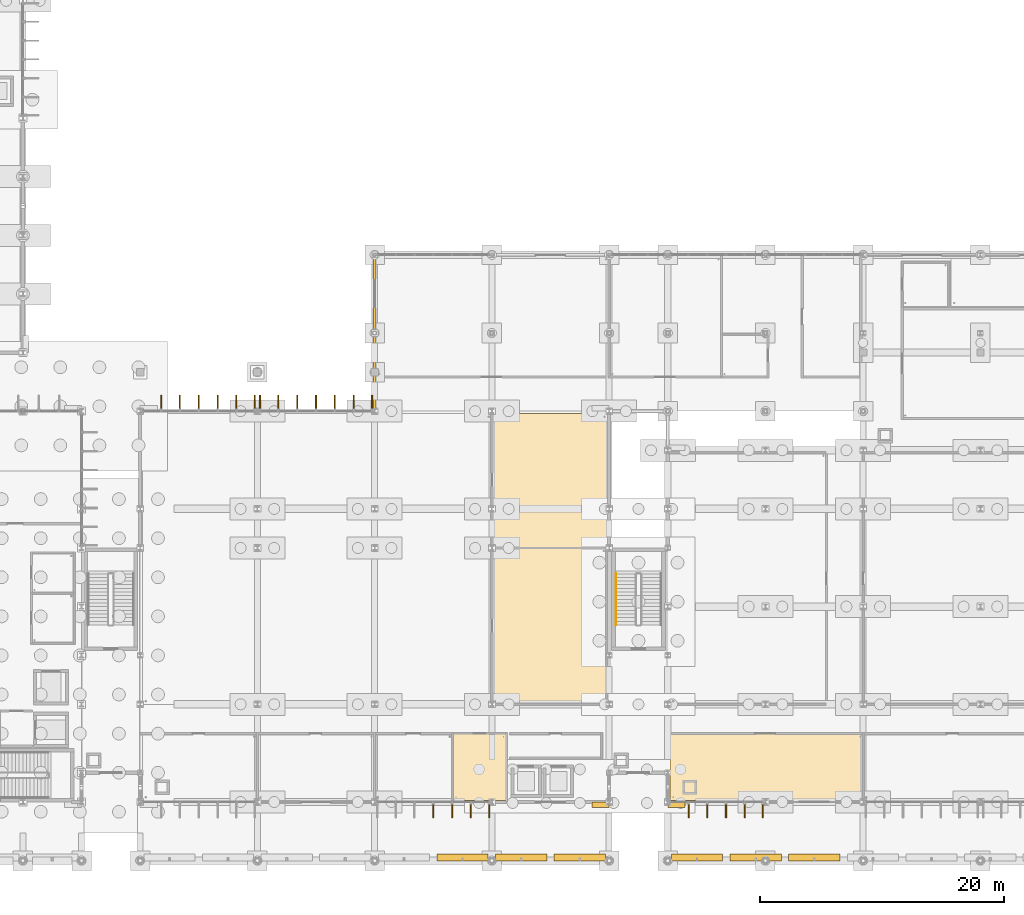
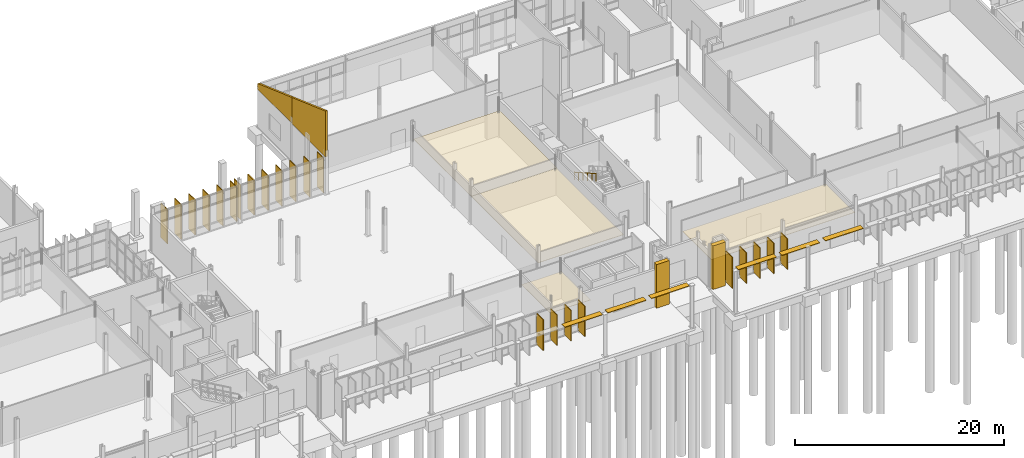
# One storey, part 105 of 111: 30 coverings, 6 shading devices, 1 railing.
"""IFC4 building model written with IfcOpenShell, lengths in metres."""

from ifc_helpers import new_model, si_unit, direction, frame, origin, origin_2d, place, context, subcontext, project, spatial, polyline, rectangle, circle, outline, extrude, material, layer, layer_set, type_object, element, save


model = new_model("IFC4")

# Units and contexts
model_context = context("Model", 3, precision=1e-05, world=origin(), true_north=direction((0.0, 1.0)))
body_context = subcontext(model_context, "Body", "Model", "MODEL_VIEW")
ifc_project = project(units=[si_unit("LENGTHUNIT", "METRE"), si_unit("AREAUNIT", "SQUARE_METRE"), si_unit("VOLUMEUNIT", "CUBIC_METRE"), si_unit("PLANEANGLEUNIT", "RADIAN"), si_unit("MASSUNIT", "GRAM", prefix="KILO")], contexts=[model_context])

# Site, building, storey
site_placement = place(None, origin())
site = spatial("IfcSite", under=ifc_project, at=site_placement, CompositionType="ELEMENT")
building_placement = place(site_placement, origin())
building = spatial("IfcBuilding", under=site, at=building_placement, Name="Dunescarp Central Library", CompositionType="ELEMENT")
storey_placement = place(building_placement, origin())
storey = spatial("IfcBuildingStorey", under=building, at=storey_placement, Name="L00", CompositionType="ELEMENT", Elevation=0.0)

# Coverings
ifc_material_1 = material(Name="Mineral-fibre acoustic ceiling tile")
ifc_layer_1 = layer(ifc_material_1, 0.0400390625)
ifc_layer_set_1 = layer_set([ifc_layer_1], Name="Mineral-fibre acoustic ceiling tile")
covering_type_1 = type_object("IfcCoveringType", Name="ARC-COV-CEIL40", PredefinedType="CEILING", material=ifc_layer_set_1)
covering_1_placement = place(storey_placement, frame((0.0, 0.0, 3.050048828125)))
element("IfcCovering", 1, at=covering_1_placement, inside=storey, type_object=covering_type_1, Name="L00 ceiling Wing Washrooms & WC", PredefinedType="CEILING", context=body_context, shape_type="SweptSolid", body=[
    extrude(outline(polyline([(63.97998046875, 4.919921875), (68.419921875, 4.919921875), (68.419921875, 10.419921875), (63.97998046875, 10.419921875), (63.97998046875, 4.919921875)])), origin(), (0.0, 0.0, 1.0), 0.0400390625),
])
covering_2_placement = place(storey_placement, frame((0.0, 0.0, 3.050048828125)))
element("IfcCovering", 2, at=covering_2_placement, inside=storey, type_object=covering_type_1, Name="L00 ceiling L00 Digital Media Lending Desk", PredefinedType="CEILING", context=body_context, shape_type="SweptSolid", body=[
    extrude(outline(polyline([(67.179931640625, 12.780029296875), (76.6201171875, 12.780029296875), (76.6201171875, 25.6201171875), (67.179931640625, 25.6201171875), (67.179931640625, 12.780029296875)])), origin(), (0.0, 0.0, 1.0), 0.0400390625),
])
covering_3_placement = place(storey_placement, frame((0.0, 0.0, 3.050048828125)))
element("IfcCovering", 3, at=covering_3_placement, inside=storey, type_object=covering_type_1, Name="L00 ceiling L00 Book Sorting & Returns Store", PredefinedType="CEILING", context=body_context, shape_type="SweptSolid", body=[
    extrude(outline(polyline([(67.179931640625, 25.580078125), (76.679931640625, 25.580078125), (76.679931640625, 36.6201171875), (67.179931640625, 36.6201171875), (67.179931640625, 25.580078125)])), origin(), (0.0, 0.0, 1.0), 0.0400390625),
])
covering_4_placement = place(storey_placement, frame((0.0, 0.0, 3.050048828125)))
element("IfcCovering", 4, at=covering_4_placement, inside=storey, type_object=covering_type_1, Name="L00 ceiling Civic Lecture & Symposium Room", PredefinedType="CEILING", context=body_context, shape_type="SweptSolid", body=[
    extrude(outline(polyline([(81.780029296875, 4.919921875), (97.6201171875, 4.919921875), (97.6201171875, 10.419921875), (81.780029296875, 10.419921875), (81.780029296875, 4.919921875)])), origin(), (0.0, 0.0, 1.0), 0.0400390625),
])
ifc_material_2 = material(Name="Glass-fibre reinforced concrete GRC", Category="concrete")
ifc_layer_2 = layer(ifc_material_2, 0.219970703125)
ifc_layer_set_2 = layer_set([ifc_layer_2], Name="Glass-fibre reinforced concrete GRC")
covering_type_2 = type_object("IfcCoveringType", Name="ARC-COV-CLER", PredefinedType="CLADDING", material=ifc_layer_set_2)
covering_5_placement = place(storey_placement, frame((57.60009765625, 36.715087890625, 4.31201171875), z_axis=(0.0, 0.0, 1.0), x_axis=(0.0, 1.0, 0.0)))
element("IfcCovering", 5, at=covering_5_placement, inside=storey, type_object=covering_type_2, Name="L00 CLN raked clerestory closure CLR-CLN-L00-103", PredefinedType="CLADDING", context=body_context, shape_type="SweptSolid", body=[
    extrude(outline(polyline([(0.0, 0.0), (6.56982421875, 0.0), (6.570068359375, 3.01708984375), (0.0, 5.367919921875), (0.0, 0.0)])), frame((0.0, 0.10986328125, 0.0), z_axis=(0.0, -1.0, 0.0), x_axis=(1.0, 0.0, 0.0)), (0.0, 0.0, 1.0), 0.219970703125),
])
covering_6_placement = place(storey_placement, frame((57.60009765625, 43.114990234375, 4.368896484375), z_axis=(0.0, 0.0, 1.0), x_axis=(0.0, 1.0, 0.0)))
element("IfcCovering", 6, at=covering_6_placement, inside=storey, type_object=covering_type_2, Name="L00 CLN raked clerestory closure CLR-CLN-L00-104", PredefinedType="CLADDING", context=body_context, shape_type="SweptSolid", body=[
    extrude(outline(polyline([(0.0, 0.0), (6.570068359375, 0.0), (6.570068359375, 0.670166015625), (0.0, 3.02099609375), (0.0, 0.0)])), frame((0.0, 0.10986328125, 0.0), z_axis=(0.0, -1.0, 0.0), x_axis=(1.0, 0.0, 0.0)), (0.0, 0.0, 1.0), 0.219970703125),
])
ifc_layer_3 = layer(ifc_material_2, 0.090087890625)
ifc_layer_set_3 = layer_set([ifc_layer_3], Name="Glass-fibre reinforced concrete GRC")
covering_type_3 = type_object("IfcCoveringType", Name="ARC-COV-FIN1250", PredefinedType="CLADDING", material=ifc_layer_set_3)
covering_7_placement = place(storey_placement, frame((66.985107421875, 4.137939453125, 0.1669921875), z_axis=(0.0, 0.0, 1.0), x_axis=(0.0, -1.0, 0.0)))
element("IfcCovering", 7, at=covering_7_placement, inside=storey, type_object=covering_type_3, Name="L00 parametric vertical facade fin FIN-L00-0318", PredefinedType="CLADDING", context=body_context, shape_type="SweptSolid", body=[
    extrude(rectangle(XDim=1.25, YDim=0.090087890625, at=origin_2d()), origin(), (0.0, 0.0, 1.0), 3.55810546875),
])
covering_8_placement = place(storey_placement, frame((65.48291015625, 4.137939453125, 0.180419921875), z_axis=(0.0, 0.0, 1.0), x_axis=(0.0, -1.0, 0.0)))
element("IfcCovering", 8, at=covering_8_placement, inside=storey, type_object=covering_type_3, Name="L00 parametric vertical facade fin FIN-L00-0319", PredefinedType="CLADDING", context=body_context, shape_type="SweptSolid", body=[
    extrude(rectangle(XDim=1.25, YDim=0.090087890625, at=origin_2d()), origin(), (0.0, 0.0, 1.0), 3.544921875),
])
covering_9_placement = place(storey_placement, frame((63.94189453125, 4.137939453125, 0.16455078125), z_axis=(0.0, 0.0, 1.0), x_axis=(0.0, -1.0, 0.0)))
element("IfcCovering", 9, at=covering_9_placement, inside=storey, type_object=covering_type_3, Name="L00 parametric vertical facade fin FIN-L00-0320", PredefinedType="CLADDING", context=body_context, shape_type="SweptSolid", body=[
    extrude(rectangle(XDim=1.25, YDim=0.090087890625, at=origin_2d()), origin(), (0.0, 0.0, 1.0), 3.56103515625),
])
covering_10_placement = place(storey_placement, frame((62.39990234375, 4.137939453125, 0.123046875), z_axis=(0.0, 0.0, 1.0), x_axis=(0.0, -1.0, 0.0)))
element("IfcCovering", 10, at=covering_10_placement, inside=storey, type_object=covering_type_3, Name="L00 parametric vertical facade fin FIN-L00-0321", PredefinedType="CLADDING", context=body_context, shape_type="SweptSolid", body=[
    extrude(rectangle(XDim=1.25, YDim=0.090087890625, at=origin_2d()), origin(), (0.0, 0.0, 1.0), 3.60205078125),
])
covering_11_placement = place(storey_placement, frame((40.116943359375, 37.4619140625, 0.1806640625), z_axis=(0.0, 0.0, 1.0), x_axis=(0.0, 1.0, 0.0)))
element("IfcCovering", 11, at=covering_11_placement, inside=storey, type_object=covering_type_3, Name="L00 parametric vertical facade fin FIN-L00-0325", PredefinedType="CLADDING", context=body_context, shape_type="SweptSolid", body=[
    extrude(rectangle(XDim=1.25, YDim=0.090087890625, at=origin_2d()), origin(), (0.0, 0.0, 1.0), 4.054931640625),
])
covering_12_placement = place(storey_placement, frame((41.657958984375, 37.4619140625, 0.16455078125), z_axis=(0.0, 0.0, 1.0), x_axis=(0.0, 1.0, 0.0)))
element("IfcCovering", 12, at=covering_12_placement, inside=storey, type_object=covering_type_3, Name="L00 parametric vertical facade fin FIN-L00-0326", PredefinedType="CLADDING", context=body_context, shape_type="SweptSolid", body=[
    extrude(rectangle(XDim=1.25, YDim=0.090087890625, at=origin_2d()), origin(), (0.0, 0.0, 1.0), 4.071044921875),
])
covering_13_placement = place(storey_placement, frame((43.199951171875, 37.4619140625, 0.123046875), z_axis=(0.0, 0.0, 1.0), x_axis=(0.0, 1.0, 0.0)))
element("IfcCovering", 13, at=covering_13_placement, inside=storey, type_object=covering_type_3, Name="L00 parametric vertical facade fin FIN-L00-0327", PredefinedType="CLADDING", context=body_context, shape_type="SweptSolid", body=[
    extrude(rectangle(XDim=1.25, YDim=0.090087890625, at=origin_2d()), origin(), (0.0, 0.0, 1.0), 4.112060546875),
])
covering_14_placement = place(storey_placement, frame((44.741943359375, 37.4619140625, 0.080078125), z_axis=(0.0, 0.0, 1.0), x_axis=(0.0, 1.0, 0.0)))
element("IfcCovering", 14, at=covering_14_placement, inside=storey, type_object=covering_type_3, Name="L00 parametric vertical facade fin FIN-L00-0328", PredefinedType="CLADDING", context=body_context, shape_type="SweptSolid", body=[
    extrude(rectangle(XDim=1.25, YDim=0.090087890625, at=origin_2d()), origin(), (0.0, 0.0, 1.0), 4.14404296875),
])
covering_15_placement = place(storey_placement, frame((46.282958984375, 37.4619140625, 0.080078125), z_axis=(0.0, 0.0, 1.0), x_axis=(0.0, 1.0, 0.0)))
element("IfcCovering", 15, at=covering_15_placement, inside=storey, type_object=covering_type_3, Name="L00 parametric vertical facade fin FIN-L00-0329", PredefinedType="CLADDING", context=body_context, shape_type="SweptSolid", body=[
    extrude(rectangle(XDim=1.25, YDim=0.090087890625, at=origin_2d()), origin(), (0.0, 0.0, 1.0), 4.093994140625),
])
covering_16_placement = place(storey_placement, frame((47.784912109375, 37.4619140625, 0.08056640625), z_axis=(0.0, 0.0, 1.0), x_axis=(0.0, 1.0, 0.0)))
element("IfcCovering", 16, at=covering_16_placement, inside=storey, type_object=covering_type_3, Name="L00 parametric vertical facade fin FIN-L00-0330", PredefinedType="CLADDING", context=body_context, shape_type="SweptSolid", body=[
    extrude(rectangle(XDim=1.25, YDim=0.090087890625, at=origin_2d()), origin(), (0.0, 0.0, 1.0), 4.06103515625),
])
covering_17_placement = place(storey_placement, frame((48.215087890625, 37.4619140625, 0.1669921875), z_axis=(0.0, 0.0, 1.0), x_axis=(0.0, 1.0, 0.0)))
element("IfcCovering", 17, at=covering_17_placement, inside=storey, type_object=covering_type_3, Name="L00 parametric vertical facade fin FIN-L00-0331", PredefinedType="CLADDING", context=body_context, shape_type="SweptSolid", body=[
    extrude(rectangle(XDim=1.25, YDim=0.090087890625, at=origin_2d()), origin(), (0.0, 0.0, 1.0), 4.068115234375),
])
covering_18_placement = place(storey_placement, frame((49.717041015625, 37.4619140625, 0.1806640625), z_axis=(0.0, 0.0, 1.0), x_axis=(0.0, 1.0, 0.0)))
element("IfcCovering", 18, at=covering_18_placement, inside=storey, type_object=covering_type_3, Name="L00 parametric vertical facade fin FIN-L00-0332", PredefinedType="CLADDING", context=body_context, shape_type="SweptSolid", body=[
    extrude(rectangle(XDim=1.25, YDim=0.090087890625, at=origin_2d()), origin(), (0.0, 0.0, 1.0), 4.054931640625),
])
covering_19_placement = place(storey_placement, frame((51.258056640625, 37.4619140625, 0.16455078125), z_axis=(0.0, 0.0, 1.0), x_axis=(0.0, 1.0, 0.0)))
element("IfcCovering", 19, at=covering_19_placement, inside=storey, type_object=covering_type_3, Name="L00 parametric vertical facade fin FIN-L00-0333", PredefinedType="CLADDING", context=body_context, shape_type="SweptSolid", body=[
    extrude(rectangle(XDim=1.25, YDim=0.090087890625, at=origin_2d()), origin(), (0.0, 0.0, 1.0), 4.071044921875),
])
covering_20_placement = place(storey_placement, frame((52.800048828125, 37.4619140625, 0.123046875), z_axis=(0.0, 0.0, 1.0), x_axis=(0.0, 1.0, 0.0)))
element("IfcCovering", 20, at=covering_20_placement, inside=storey, type_object=covering_type_3, Name="L00 parametric vertical facade fin FIN-L00-0334", PredefinedType="CLADDING", context=body_context, shape_type="SweptSolid", body=[
    extrude(rectangle(XDim=1.25, YDim=0.090087890625, at=origin_2d()), origin(), (0.0, 0.0, 1.0), 4.112060546875),
])
covering_21_placement = place(storey_placement, frame((54.342041015625, 37.4619140625, 0.080078125), z_axis=(0.0, 0.0, 1.0), x_axis=(0.0, 1.0, 0.0)))
element("IfcCovering", 21, at=covering_21_placement, inside=storey, type_object=covering_type_3, Name="L00 parametric vertical facade fin FIN-L00-0335", PredefinedType="CLADDING", context=body_context, shape_type="SweptSolid", body=[
    extrude(rectangle(XDim=1.25, YDim=0.090087890625, at=origin_2d()), origin(), (0.0, 0.0, 1.0), 4.14404296875),
])
covering_22_placement = place(storey_placement, frame((55.883056640625, 37.4619140625, 0.080078125), z_axis=(0.0, 0.0, 1.0), x_axis=(0.0, 1.0, 0.0)))
element("IfcCovering", 22, at=covering_22_placement, inside=storey, type_object=covering_type_3, Name="L00 parametric vertical facade fin FIN-L00-0336", PredefinedType="CLADDING", context=body_context, shape_type="SweptSolid", body=[
    extrude(rectangle(XDim=1.25, YDim=0.090087890625, at=origin_2d()), origin(), (0.0, 0.0, 1.0), 4.093994140625),
])
covering_23_placement = place(storey_placement, frame((57.385009765625, 37.4619140625, 0.08056640625), z_axis=(0.0, 0.0, 1.0), x_axis=(0.0, 1.0, 0.0)))
element("IfcCovering", 23, at=covering_23_placement, inside=storey, type_object=covering_type_3, Name="L00 parametric vertical facade fin FIN-L00-0337", PredefinedType="CLADDING", context=body_context, shape_type="SweptSolid", body=[
    extrude(rectangle(XDim=1.25, YDim=0.090087890625, at=origin_2d()), origin(), (0.0, 0.0, 1.0), 4.06103515625),
])
covering_24_placement = place(storey_placement, frame((89.385009765625, 4.137939453125, 0.1669921875), z_axis=(0.0, 0.0, 1.0), x_axis=(0.0, -1.0, 0.0)))
element("IfcCovering", 24, at=covering_24_placement, inside=storey, type_object=covering_type_3, Name="L00 parametric vertical facade fin FIN-L00-0561", PredefinedType="CLADDING", context=body_context, shape_type="SweptSolid", body=[
    extrude(rectangle(XDim=1.25, YDim=0.090087890625, at=origin_2d()), origin(), (0.0, 0.0, 1.0), 3.55810546875),
])
covering_25_placement = place(storey_placement, frame((87.89501953125, 4.137939453125, 0.180419921875), z_axis=(0.0, 0.0, 1.0), x_axis=(0.0, -1.0, 0.0)))
element("IfcCovering", 25, at=covering_25_placement, inside=storey, type_object=covering_type_3, Name="L00 parametric vertical facade fin FIN-L00-0562", PredefinedType="CLADDING", context=body_context, shape_type="SweptSolid", body=[
    extrude(rectangle(XDim=1.25, YDim=0.090087890625, at=origin_2d()), origin(), (0.0, 0.0, 1.0), 3.544921875),
])
covering_26_placement = place(storey_placement, frame((86.364990234375, 4.137939453125, 0.16455078125), z_axis=(0.0, 0.0, 1.0), x_axis=(0.0, -1.0, 0.0)))
element("IfcCovering", 26, at=covering_26_placement, inside=storey, type_object=covering_type_3, Name="L00 parametric vertical facade fin FIN-L00-0563", PredefinedType="CLADDING", context=body_context, shape_type="SweptSolid", body=[
    extrude(rectangle(XDim=1.25, YDim=0.090087890625, at=origin_2d()), origin(), (0.0, 0.0, 1.0), 3.56103515625),
])
covering_27_placement = place(storey_placement, frame((84.8349609375, 4.137939453125, 0.123046875), z_axis=(0.0, 0.0, 1.0), x_axis=(0.0, -1.0, 0.0)))
element("IfcCovering", 27, at=covering_27_placement, inside=storey, type_object=covering_type_3, Name="L00 parametric vertical facade fin FIN-L00-0564", PredefinedType="CLADDING", context=body_context, shape_type="SweptSolid", body=[
    extrude(rectangle(XDim=1.25, YDim=0.090087890625, at=origin_2d()), origin(), (0.0, 0.0, 1.0), 3.60205078125),
])
covering_28_placement = place(storey_placement, frame((83.304931640625, 4.137939453125, 0.080078125), z_axis=(0.0, 0.0, 1.0), x_axis=(0.0, -1.0, 0.0)))
element("IfcCovering", 28, at=covering_28_placement, inside=storey, type_object=covering_type_3, Name="L00 parametric vertical facade fin FIN-L00-0565", PredefinedType="CLADDING", context=body_context, shape_type="SweptSolid", body=[
    extrude(rectangle(XDim=1.25, YDim=0.090087890625, at=origin_2d()), origin(), (0.0, 0.0, 1.0), 3.634033203125),
])
ifc_layer_4 = layer(ifc_material_2, 0.449951171875)
ifc_layer_set_4 = layer_set([ifc_layer_4], Name="Glass-fibre reinforced concrete GRC")
covering_type_4 = type_object("IfcCoveringType", Name="ARC-COV-PORTAL", PredefinedType="CLADDING", material=ifc_layer_set_4)
for number, where, z_axis, x_axis, name in (
    (29, (76.10009765625, 4.580078125, 0.0), (0.0, 0.0, 1.0), (1.0, 0.0, 0.0), "V2 sculpted GRC portal pier PRT-BAND-V2-003"),
    (30, (82.300048828125, 4.580078125, 0.0), (0.0, 0.0, 1.0), (1.0, 0.0, 0.0), "V3 sculpted GRC portal pier PRT-BAND-V3-027"),
):
    element("IfcCovering", number, at=place(storey_placement, frame(where, z_axis=z_axis, x_axis=x_axis)), inside=storey, type_object=covering_type_4, Name=name, PredefinedType="CLADDING", context=body_context, shape_type="SweptSolid", body=[
        extrude(rectangle(XDim=1.39990234375, YDim=0.449951171875, at=origin_2d()), origin(), (0.0, 0.0, 1.0), 5.10009765625),
    ])

# Railing
ifc_material_3 = material(Name="Stainless steel Grade 316L", Category="steel")
railing_type = type_object("IfcRailingType", Name="ARC-RL-HAND", PredefinedType="HANDRAIL", material=ifc_material_3)
railing_placement = place(storey_placement, frame((77.35009765625, 23.5, 2.719970703125)))
element("IfcRailing", 31, at=railing_placement, inside=storey, type_object=railing_type, Name="L00 ST-3 stair handrail 2", PredefinedType="HANDRAIL", context=body_context, shape_type="SweptSolid", body=[
    extrude(circle(Radius=0.02392578125, at=origin_2d()), frame((0.0, 0.0, 0.8857421875), z_axis=(0.0, -0.870008446991, 0.493036816236), x_axis=(1.0, 0.0, 0.0)), (0.0, 0.0, 1.0), 4.827392578125),
    extrude(circle(Radius=0.02099609375, at=origin_2d()), origin(), (0.0, 0.0, 1.0), 0.86181640625),
    extrude(circle(Radius=0.02099609375, at=origin_2d()), frame((0.0, -0.840087890625, 0.47607421875)), (0.0, 0.0, 1.0), 0.86181640625),
    extrude(circle(Radius=0.02099609375, at=origin_2d()), frame((0.0, -1.679931640625, 0.9521484375)), (0.0, 0.0, 1.0), 0.86181640625),
    extrude(circle(Radius=0.02099609375, at=origin_2d()), frame((0.0, -2.52001953125, 1.427978515625)), (0.0, 0.0, 1.0), 0.86181640625),
    extrude(circle(Radius=0.02099609375, at=origin_2d()), frame((0.0, -3.35986328125, 1.904052734375)), (0.0, 0.0, 1.0), 0.86181640625),
    extrude(circle(Radius=0.02099609375, at=origin_2d()), frame((0.0, -4.199951171875, 2.380126953125)), (0.0, 0.0, 1.0), 0.86181640625),
])

# Shading devices
ifc_material_4 = material(Name="Marine-grade anodised aluminium 6063-T6", Category="aluminium")
ifc_layer_5 = layer(ifc_material_4, 0.06005859375)
ifc_layer_set_5 = layer_set([ifc_layer_5], Name="Marine-grade anodised aluminium 6063-T6")
shading_device_type = type_object("IfcShadingDeviceType", Name="ARC-SHD-LVR", PredefinedType="SHUTTER", material=ifc_layer_set_5)
for number, where, z_axis, x_axis, name in (
    (32, (64.800048828125, 0.25, 4.85986328125), (0.0, 0.0, 1.0), (1.0, 0.0, 0.0), "Colonnade sunshade louvre LVR-COL-013"),
    (33, (69.60009765625, 0.25, 4.85986328125), (0.0, 0.0, 1.0), (1.0, 0.0, 0.0), "Colonnade sunshade louvre LVR-COL-014"),
    (34, (74.39990234375, 0.25, 4.85986328125), (0.0, 0.0, 1.0), (1.0, 0.0, 0.0), "Colonnade sunshade louvre LVR-COL-015"),
    (35, (84.0, 0.25, 4.85986328125), (0.0, 0.0, 1.0), (1.0, 0.0, 0.0), "Colonnade sunshade louvre LVR-COL-016"),
    (36, (88.800048828125, 0.25, 4.85986328125), (0.0, 0.0, 1.0), (1.0, 0.0, 0.0), "Colonnade sunshade louvre LVR-COL-017"),
    (37, (93.60009765625, 0.25, 4.85986328125), (0.0, 0.0, 1.0), (1.0, 0.0, 0.0), "Colonnade sunshade louvre LVR-COL-018"),
):
    element("IfcShadingDevice", number, at=place(storey_placement, frame(where, z_axis=z_axis, x_axis=x_axis)), inside=storey, type_object=shading_device_type, Name=name, PredefinedType="SHUTTER", context=body_context, shape_type="SweptSolid", body=[
        extrude(rectangle(XDim=4.199951171875, YDim=0.60009765625, at=origin_2d()), origin(), (0.0, 0.0, 1.0), 0.06005859375),
    ])

save(model, "model.ifc")
